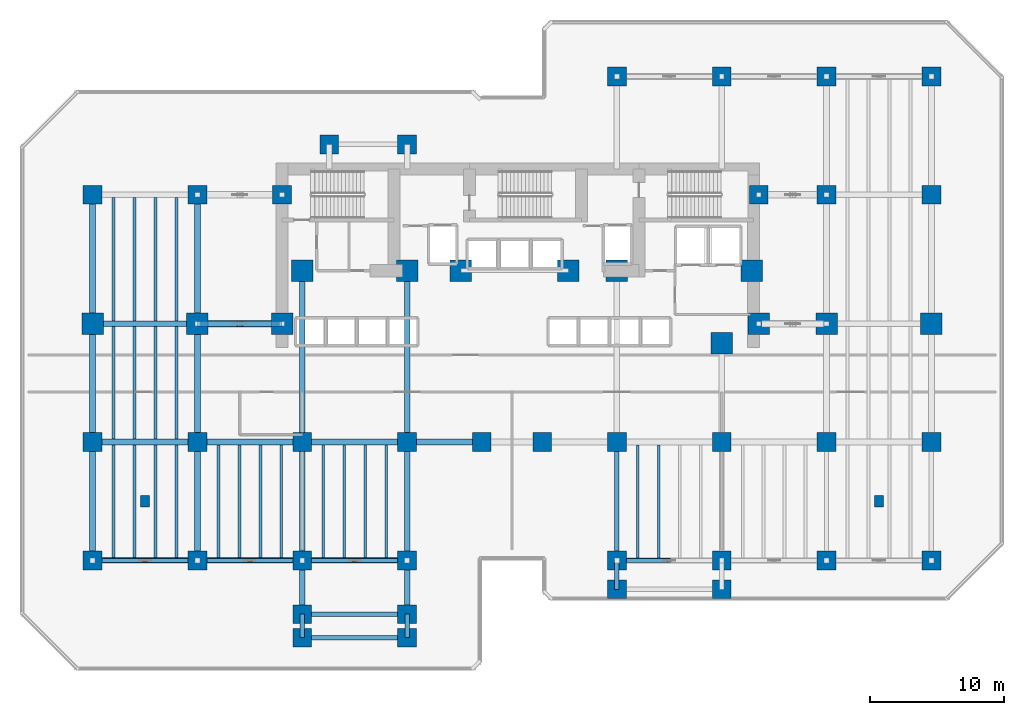
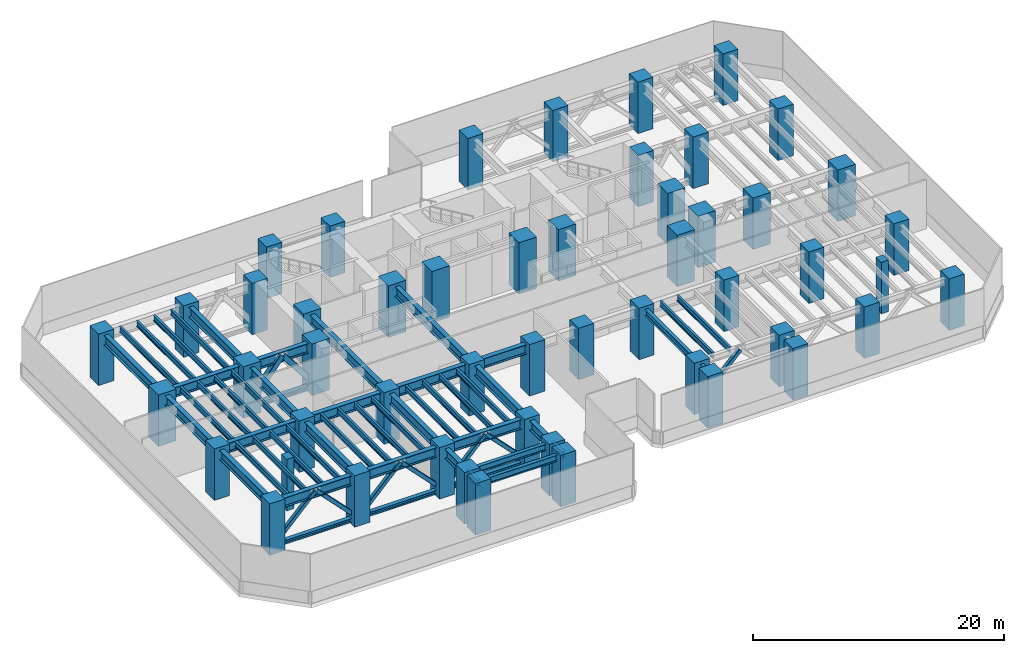
# One storey, part 1 of 13: 51 columns, 49 beams, 13 members.
"""IFC4 building model written with IfcOpenShell, lengths in metres."""

from ifc_helpers import new_model, si_unit, direction, frame, origin, origin_2d, place, context, subcontext, project, spatial, rectangle, hollow_rectangle, i_section, extrude, material, material_profile, profile_set, type_object, element, save


model = new_model("IFC4")

# Units and contexts
model_context = context("Model", 3, precision=1e-05, world=origin(), true_north=direction((0.0, 1.0)))
body_context = subcontext(model_context, "Body", "Model", "MODEL_VIEW")
ifc_project = project(units=[si_unit("LENGTHUNIT", "METRE"), si_unit("AREAUNIT", "SQUARE_METRE"), si_unit("VOLUMEUNIT", "CUBIC_METRE"), si_unit("PLANEANGLEUNIT", "RADIAN"), si_unit("MASSUNIT", "GRAM", prefix="KILO")], contexts=[model_context])

# Site, building, storey
site_placement = place(None, origin())
site = spatial("IfcSite", under=ifc_project, at=site_placement, CompositionType="ELEMENT")
building_placement = place(site_placement, origin())
building = spatial("IfcBuilding", under=site, at=building_placement, Name="Kestravale Grand Hotel", CompositionType="ELEMENT")
storey_placement = place(building_placement, frame((0.0, 0.0, 75.39990234375)))
storey = spatial("IfcBuildingStorey", under=building, at=storey_placement, Name="L18", CompositionType="ELEMENT", Elevation=75.39990234375)

# Columns
ifc_material_1 = material(Name="Concrete f'c 70 MPa", Category="concrete")
ifc_material_profile_1 = material_profile(ifc_material_1, rectangle(XDim=1.39990234375, YDim=1.39990234375, at=origin_2d()))
ifc_profile_set_1 = profile_set([ifc_material_profile_1], Name="Concrete f'c 70 MPa")
column_type_1 = type_object("IfcColumnType", Name="C-Z1-1400", PredefinedType="COLUMN", material=ifc_profile_set_1)
for number, where, z_axis, x_axis, name in (
    (1, (7.800048828125, 11.199951171875, 0.0), (0.0, 0.0, 1.0), (1.0, 0.0, 0.0), "L18 column 2-C"),
    (2, (7.800048828125, 20.0, 0.0), (0.0, 0.0, 1.0), (1.0, 0.0, 0.0), "L18 column 2-D"),
    (3, (7.800048828125, 38.39990234375, 0.0), (0.0, 0.0, 1.0), (1.0, 0.0, 0.0), "L18 column 2-F"),
    (4, (15.60009765625, 11.199951171875, 0.0), (0.0, 0.0, 1.0), (1.0, 0.0, 0.0), "L18 column 3-C"),
    (5, (15.60009765625, 20.0, 0.0), (0.0, 0.0, 1.0), (1.0, 0.0, 0.0), "L18 column 3-D"),
    (6, (15.60009765625, 38.39990234375, 0.0), (0.0, 0.0, 1.0), (1.0, 0.0, 0.0), "L18 column 3-F"),
    (7, (23.39990234375, 11.199951171875, 0.0), (0.0, 0.0, 1.0), (1.0, 0.0, 0.0), "L18 column 4-C"),
    (8, (23.39990234375, 20.0, 0.0), (0.0, 0.0, 1.0), (1.0, 0.0, 0.0), "L18 column 4-D"),
    (9, (31.199951171875, 11.199951171875, 0.0), (0.0, 0.0, 1.0), (1.0, 0.0, 0.0), "L18 column 5-C"),
    (10, (31.199951171875, 20.0, 0.0), (0.0, 0.0, 1.0), (1.0, 0.0, 0.0), "L18 column 5-D"),
    (11, (36.75, 20.0, 0.0), (0.0, 0.0, 1.0), (1.0, 0.0, 0.0), "L18 column 6-D"),
    (12, (41.25, 20.0, 0.0), (0.0, 0.0, 1.0), (1.0, 0.0, 0.0), "L18 column 7-D"),
    (13, (46.800048828125, 11.199951171875, 0.0), (0.0, 0.0, 1.0), (1.0, 0.0, 0.0), "L18 column 8-C"),
    (14, (46.800048828125, 20.0, 0.0), (0.0, 0.0, 1.0), (1.0, 0.0, 0.0), "L18 column 8-D"),
    (15, (46.800048828125, 47.199951171875, 0.0), (0.0, 0.0, 1.0), (1.0, 0.0, 0.0), "L18 column 8-G"),
    (16, (54.60009765625, 11.199951171875, 0.0), (0.0, 0.0, 1.0), (1.0, 0.0, 0.0), "L18 column 9-C"),
    (17, (54.60009765625, 20.0, 0.0), (0.0, 0.0, 1.0), (1.0, 0.0, 0.0), "L18 column 9-D"),
    (18, (54.60009765625, 47.199951171875, 0.0), (0.0, 0.0, 1.0), (1.0, 0.0, 0.0), "L18 column 9-G"),
    (19, (62.39990234375, 11.199951171875, 0.0), (0.0, 0.0, 1.0), (1.0, 0.0, 0.0), "L18 column 10-C"),
    (20, (62.39990234375, 20.0, 0.0), (0.0, 0.0, 1.0), (1.0, 0.0, 0.0), "L18 column 10-D"),
    (21, (62.39990234375, 38.39990234375, 0.0), (0.0, 0.0, 1.0), (1.0, 0.0, 0.0), "L18 column 10-F"),
    (22, (62.39990234375, 47.199951171875, 0.0), (0.0, 0.0, 1.0), (1.0, 0.0, 0.0), "L18 column 10-G"),
    (23, (70.199951171875, 11.199951171875, 0.0), (0.0, 0.0, 1.0), (1.0, 0.0, 0.0), "L18 column 11-C"),
    (24, (70.199951171875, 20.0, 0.0), (0.0, 0.0, 1.0), (1.0, 0.0, 0.0), "L18 column 11-D"),
    (25, (70.199951171875, 38.39990234375, 0.0), (0.0, 0.0, 1.0), (1.0, 0.0, 0.0), "L18 column 11-F"),
    (26, (70.199951171875, 47.199951171875, 0.0), (0.0, 0.0, 1.0), (1.0, 0.0, 0.0), "L18 column 11-G"),
    (27, (21.89990234375, 38.39990234375, 0.0), (0.0, 0.0, 1.0), (1.0, 0.0, 0.0), "L18 column CW-F"),
    (28, (57.35009765625, 38.39990234375, 0.0), (0.0, 0.0, 1.0), (1.0, 0.0, 0.0), "L18 column CE-F"),
    (29, (23.39990234375, 7.199951171875, 0.0), (0.0, 0.0, 1.0), (1.0, 0.0, 0.0), "L18 column 4-BS"),
    (30, (31.199951171875, 7.199951171875, 0.0), (0.0, 0.0, 1.0), (1.0, 0.0, 0.0), "L18 column 5-BS"),
    (31, (25.39990234375, 42.14990234375, 0.0), (0.0, 0.0, 1.0), (1.0, 0.0, 0.0), "L18 column 4-FN"),
    (32, (31.199951171875, 42.14990234375, 0.0), (0.0, 0.0, 1.0), (1.0, 0.0, 0.0), "L18 column 5-FN"),
    (33, (23.39990234375, 5.449951171875, 0.0), (0.0, 0.0, 1.0), (1.0, 0.0, 0.0), "L18 column 4-B1S"),
    (34, (31.199951171875, 5.449951171875, 0.0), (0.0, 0.0, 1.0), (1.0, 0.0, 0.0), "L18 column 5-B1S"),
    (35, (46.800048828125, 9.050048828125, 0.0), (0.0, 0.0, 1.0), (1.0, 0.0, 0.0), "L18 column 8-B1E"),
    (36, (54.60009765625, 9.050048828125, 0.0), (0.0, 0.0, 1.0), (1.0, 0.0, 0.0), "L18 column 9-B1E"),
):
    element("IfcColumn", number, at=place(storey_placement, frame(where, z_axis=z_axis, x_axis=x_axis)), inside=storey, type_object=column_type_1, Name=name, PredefinedType="COLUMN", context=body_context, shape_type="SweptSolid", body=[
        extrude(rectangle(XDim=1.39990234375, YDim=1.39990234375, at=origin_2d()), origin(), (0.0, 0.0, 1.0), 5.0),
    ])
ifc_material_2 = material(Name="Concrete f'c 70 MPa", Category="concrete")
ifc_material_profile_2 = material_profile(ifc_material_2, rectangle(XDim=1.60009765625, YDim=1.60009765625, at=origin_2d()))
ifc_profile_set_2 = profile_set([ifc_material_profile_2], Name="Concrete f'c 70 MPa")
column_type_2 = type_object("IfcColumnType", Name="C-Z1-1600", PredefinedType="COLUMN", material=ifc_profile_set_2)
for number, where, z_axis, x_axis, name in (
    (37, (7.800048828125, 28.800048828125, 0.0), (0.0, 0.0, 1.0), (1.0, 0.0, 0.0), "L18 column 2-E"),
    (38, (15.60009765625, 28.800048828125, 0.0), (0.0, 0.0, 1.0), (1.0, 0.0, 0.0), "L18 column 3-E"),
    (39, (62.39990234375, 28.800048828125, 0.0), (0.0, 0.0, 1.0), (1.0, 0.0, 0.0), "L18 column 10-E"),
    (40, (70.199951171875, 28.800048828125, 0.0), (0.0, 0.0, 1.0), (1.0, 0.0, 0.0), "L18 column 11-E"),
    (41, (21.89990234375, 28.800048828125, 0.0), (0.0, 0.0, 1.0), (1.0, 0.0, 0.0), "L18 column CW-E"),
    (42, (57.35009765625, 28.800048828125, 0.0), (0.0, 0.0, 1.0), (1.0, 0.0, 0.0), "L18 column CE-E"),
    (43, (23.39990234375, 32.75, 0.0), (0.0, 0.0, 1.0), (1.0, 0.0, 0.0), "L18 column 4-CS"),
    (44, (31.199951171875, 32.75, 0.0), (0.0, 0.0, 1.0), (1.0, 0.0, 0.0), "L18 column 5-CS"),
    (45, (35.199951171875, 32.75, 0.0), (0.0, 0.0, 1.0), (1.0, 0.0, 0.0), "L18 column 6C-CS"),
    (46, (43.199951171875, 32.75, 0.0), (0.0, 0.0, 1.0), (1.0, 0.0, 0.0), "L18 column 7C-CS"),
    (47, (46.800048828125, 32.75, 0.0), (0.0, 0.0, 1.0), (1.0, 0.0, 0.0), "L18 column 8-CS"),
    (48, (54.60009765625, 27.35009765625, 0.0), (0.0, 0.0, 1.0), (1.0, 0.0, 0.0), "L18 column 9-CS"),
    (49, (56.85009765625, 32.75, 0.0), (0.0, 0.0, 1.0), (1.0, 0.0, 0.0), "L18 column 9C-CS"),
):
    element("IfcColumn", number, at=place(storey_placement, frame(where, z_axis=z_axis, x_axis=x_axis)), inside=storey, type_object=column_type_2, Name=name, PredefinedType="COLUMN", context=body_context, shape_type="SweptSolid", body=[
        extrude(rectangle(XDim=1.60009765625, YDim=1.60009765625, at=origin_2d()), origin(), (0.0, 0.0, 1.0), 5.0),
    ])
ifc_material_3 = material(Name="Precast concrete f'c 45 MPa", Category="concrete")
ifc_material_profile_3 = material_profile(ifc_material_3, rectangle(XDim=0.64990234375, YDim=0.85009765625, at=origin_2d()))
ifc_profile_set_3 = profile_set([ifc_material_profile_3], Name="Precast concrete f'c 45 MPa")
column_type_3 = type_object("IfcColumnType", Name="C-Z1-PIL850", PredefinedType="PILASTER", material=ifc_profile_set_3)
for number, where, z_axis, x_axis, name in (
    (50, (11.699951171875, 15.60009765625, 0.0), (0.0, 0.0, 1.0), (1.0, 0.0, 0.0), "L18 Art Deco fluted pilaster P1"),
    (51, (66.300048828125, 15.60009765625, 0.0), (0.0, 0.0, 1.0), (1.0, 0.0, 0.0), "L18 Art Deco fluted pilaster P2"),
):
    element("IfcColumn", number, at=place(storey_placement, frame(where, z_axis=z_axis, x_axis=x_axis)), inside=storey, type_object=column_type_3, Name=name, PredefinedType="PILASTER", context=body_context, shape_type="SweptSolid", body=[
        extrude(rectangle(XDim=0.64990234375, YDim=0.85009765625, at=origin_2d()), origin(), (0.0, 0.0, 1.0), 5.0),
    ])

# Beams
ifc_material_4 = material(Name="Steel ASTM A992 Grade 50", Category="steel")
ifc_material_profile_4 = material_profile(ifc_material_4, i_section(OverallWidth=0.2099609375, OverallDepth=0.535888671875, WebThickness=0.010986328125, FlangeThickness=0.017333984375, FilletRadius=0.017578125, at=origin_2d()))
ifc_profile_set_4 = profile_set([ifc_material_profile_4], Name="Steel ASTM A992 Grade 50")
beam_type_1 = type_object("IfcBeamType", Name="B-FLR-JST21", PredefinedType="JOIST", material=ifc_profile_set_4)
for number, where, z_axis, x_axis, name in (
    (52, (9.360107421875, 11.412109375, 4.442138671875), (0.0, 1.0, 0.0), (-1.0, 0.0, 0.0), "L18 floor joist 2-3/C-D #1"),
    (53, (10.919921875, 11.412109375, 4.442138671875), (0.0, 1.0, 0.0), (-1.0, 0.0, 0.0), "L18 floor joist 2-3/C-D #2"),
    (54, (12.47998046875, 11.412109375, 4.442138671875), (0.0, 1.0, 0.0), (-1.0, 0.0, 0.0), "L18 floor joist 2-3/C-D #3"),
    (55, (14.0400390625, 11.412109375, 4.442138671875), (0.0, 1.0, 0.0), (-1.0, 0.0, 0.0), "L18 floor joist 2-3/C-D #4"),
    (56, (9.360107421875, 20.2119140625, 4.442138671875), (0.0, 1.0, 0.0), (-1.0, 0.0, 0.0), "L18 floor joist 2-3/D-E #1"),
    (57, (10.919921875, 20.2119140625, 4.442138671875), (0.0, 1.0, 0.0), (-1.0, 0.0, 0.0), "L18 floor joist 2-3/D-E #2"),
    (58, (12.47998046875, 20.2119140625, 4.442138671875), (0.0, 1.0, 0.0), (-1.0, 0.0, 0.0), "L18 floor joist 2-3/D-E #3"),
    (59, (14.0400390625, 20.2119140625, 4.442138671875), (0.0, 1.0, 0.0), (-1.0, 0.0, 0.0), "L18 floor joist 2-3/D-E #4"),
):
    element("IfcBeam", number, at=place(storey_placement, frame(where, z_axis=z_axis, x_axis=x_axis)), inside=storey, type_object=beam_type_1, Name=name, PredefinedType="JOIST", context=body_context, shape_type="SweptSolid", body=[
        extrude(i_section(OverallWidth=0.2099609375, OverallDepth=0.535888671875, WebThickness=0.010986328125, FlangeThickness=0.017333984375, FilletRadius=0.017578125, at=origin_2d()), origin(), (0.0, 0.0, 1.0), 8.3759765625),
    ])
for number, where, z_axis, x_axis, name in (
    (60, (9.360107421875, 29.011962890625, 4.442138671875), (0.0, 1.0, 0.0), (-1.0, 0.0, 0.0), "L18 floor joist 2-3/E-F #1"),
    (61, (10.919921875, 29.011962890625, 4.442138671875), (0.0, 1.0, 0.0), (-1.0, 0.0, 0.0), "L18 floor joist 2-3/E-F #2"),
    (62, (12.47998046875, 29.011962890625, 4.442138671875), (0.0, 1.0, 0.0), (-1.0, 0.0, 0.0), "L18 floor joist 2-3/E-F #3"),
    (63, (14.0400390625, 29.011962890625, 4.442138671875), (0.0, 1.0, 0.0), (-1.0, 0.0, 0.0), "L18 floor joist 2-3/E-F #4"),
):
    element("IfcBeam", number, at=place(storey_placement, frame(where, z_axis=z_axis, x_axis=x_axis)), inside=storey, type_object=beam_type_1, Name=name, PredefinedType="JOIST", context=body_context, shape_type="SweptSolid", body=[
        extrude(i_section(OverallWidth=0.2099609375, OverallDepth=0.535888671875, WebThickness=0.010986328125, FlangeThickness=0.017333984375, FilletRadius=0.017578125, at=origin_2d()), origin(), (0.0, 0.0, 1.0), 9.176025390625),
    ])
for number, where, z_axis, x_axis, name in (
    (64, (17.159912109375, 11.412109375, 4.442138671875), (0.0, 1.0, 0.0), (-1.0, 0.0, 0.0), "L18 floor joist 3-4/C-D #1"),
    (65, (18.719970703125, 11.412109375, 4.442138671875), (0.0, 1.0, 0.0), (-1.0, 0.0, 0.0), "L18 floor joist 3-4/C-D #2"),
    (66, (20.280029296875, 11.412109375, 4.442138671875), (0.0, 1.0, 0.0), (-1.0, 0.0, 0.0), "L18 floor joist 3-4/C-D #3"),
    (67, (21.840087890625, 11.412109375, 4.442138671875), (0.0, 1.0, 0.0), (-1.0, 0.0, 0.0), "L18 floor joist 3-4/C-D #4"),
    (68, (24.9599609375, 11.412109375, 4.442138671875), (0.0, 1.0, 0.0), (-1.0, 0.0, 0.0), "L18 floor joist 4-5/C-D #1"),
    (69, (26.52001953125, 11.412109375, 4.442138671875), (0.0, 1.0, 0.0), (-1.0, 0.0, 0.0), "L18 floor joist 4-5/C-D #2"),
    (70, (28.080078125, 11.412109375, 4.442138671875), (0.0, 1.0, 0.0), (-1.0, 0.0, 0.0), "L18 floor joist 4-5/C-D #3"),
    (71, (29.639892578125, 11.412109375, 4.442138671875), (0.0, 1.0, 0.0), (-1.0, 0.0, 0.0), "L18 floor joist 4-5/C-D #4"),
):
    element("IfcBeam", number, at=place(storey_placement, frame(where, z_axis=z_axis, x_axis=x_axis)), inside=storey, type_object=beam_type_1, Name=name, PredefinedType="JOIST", context=body_context, shape_type="SweptSolid", body=[
        extrude(i_section(OverallWidth=0.2099609375, OverallDepth=0.535888671875, WebThickness=0.010986328125, FlangeThickness=0.017333984375, FilletRadius=0.017578125, at=origin_2d()), origin(), (0.0, 0.0, 1.0), 8.3759765625),
    ])
for number, where, z_axis, x_axis, name in (
    (72, (48.360107421875, 11.362548828125, 4.442138671875), (0.0, 1.0, 0.0), (-1.0, 0.0, 0.0), "L18 floor joist 8-9/C-D #1"),
    (73, (49.919921875, 11.362548828125, 4.442138671875), (0.0, 1.0, 0.0), (-1.0, 0.0, 0.0), "L18 floor joist 8-9/C-D #2"),
):
    element("IfcBeam", number, at=place(storey_placement, frame(where, z_axis=z_axis, x_axis=x_axis)), inside=storey, type_object=beam_type_1, Name=name, PredefinedType="JOIST", context=body_context, shape_type="SweptSolid", body=[
        extrude(i_section(OverallWidth=0.2099609375, OverallDepth=0.535888671875, WebThickness=0.010986328125, FlangeThickness=0.017333984375, FilletRadius=0.017578125, at=origin_2d()), origin(), (0.0, 0.0, 1.0), 8.425537109375),
    ])
ifc_material_5 = material(Name="Steel ASTM A992 Grade 50", Category="steel")
ifc_material_profile_5 = material_profile(ifc_material_5, i_section(OverallWidth=0.324951171875, OverallDepth=0.612060546875, WebThickness=0.0126953125, FlangeThickness=0.01904296875, FilletRadius=0.018798828125, at=origin_2d()))
ifc_profile_set_5 = profile_set([ifc_material_profile_5], Name="Steel ASTM A992 Grade 50")
beam_type_2 = type_object("IfcBeamType", Name="B-FLR-W24A", PredefinedType="SPANDREL", material=ifc_profile_set_5)
for number, where, z_axis, x_axis, name in (
    (74, (23.39990234375, 5.449951171875, 4.404052734375), (1.0, 0.0, 0.0), (0.0, 1.0, 0.0), "L18 perimeter tie spandrel B1S:4-5"),
    (75, (23.39990234375, 7.199951171875, 4.404052734375), (1.0, 0.0, 0.0), (0.0, 1.0, 0.0), "L18 perimeter tie spandrel BS:4-5"),
):
    element("IfcBeam", number, at=place(storey_placement, frame(where, z_axis=z_axis, x_axis=x_axis)), inside=storey, type_object=beam_type_2, Name=name, PredefinedType="SPANDREL", context=body_context, shape_type="SweptSolid", body=[
        extrude(i_section(OverallWidth=0.324951171875, OverallDepth=0.612060546875, WebThickness=0.0126953125, FlangeThickness=0.01904296875, FilletRadius=0.018798828125, at=origin_2d()), origin(), (0.0, 0.0, 1.0), 7.800048828125),
    ])
for number, where, z_axis, x_axis, name in (
    (76, (23.39990234375, 5.449951171875, 4.404052734375), (0.0, 1.0, 0.0), (-1.0, 0.0, 0.0), "L18 spandrel 4:B1S-BS"),
    (77, (31.199951171875, 5.449951171875, 4.404052734375), (0.0, 1.0, 0.0), (-1.0, 0.0, 0.0), "L18 spandrel 5:B1S-BS"),
):
    element("IfcBeam", number, at=place(storey_placement, frame(where, z_axis=z_axis, x_axis=x_axis)), inside=storey, type_object=beam_type_2, Name=name, PredefinedType="SPANDREL", context=body_context, shape_type="SweptSolid", body=[
        extrude(i_section(OverallWidth=0.324951171875, OverallDepth=0.612060546875, WebThickness=0.0126953125, FlangeThickness=0.01904296875, FilletRadius=0.018798828125, at=origin_2d()), origin(), (0.0, 0.0, 1.0), 1.75),
    ])
beam_1_placement = place(storey_placement, frame((46.800048828125, 9.050048828125, 4.404052734375), z_axis=(0.0, 1.0, 0.0), x_axis=(-1.0, 0.0, 0.0)))
element("IfcBeam", 78, at=beam_1_placement, inside=storey, type_object=beam_type_2, Name="L18 spandrel 8:B1E-C", PredefinedType="SPANDREL", context=body_context, shape_type="SweptSolid", body=[
    extrude(i_section(OverallWidth=0.324951171875, OverallDepth=0.612060546875, WebThickness=0.0126953125, FlangeThickness=0.01904296875, FilletRadius=0.018798828125, at=origin_2d()), origin(), (0.0, 0.0, 1.0), 2.14990234375),
])
beam_2_placement = place(storey_placement, frame((46.800048828125, 11.199951171875, 4.404052734375), z_axis=(0.0, 1.0, 0.0), x_axis=(-1.0, 0.0, 0.0)))
element("IfcBeam", 79, at=beam_2_placement, inside=storey, type_object=beam_type_2, Name="L18 spandrel 8:C-D", PredefinedType="SPANDREL", context=body_context, shape_type="SweptSolid", body=[
    extrude(i_section(OverallWidth=0.324951171875, OverallDepth=0.612060546875, WebThickness=0.0126953125, FlangeThickness=0.01904296875, FilletRadius=0.018798828125, at=origin_2d()), origin(), (0.0, 0.0, 1.0), 8.800048828125),
])
ifc_material_6 = material(Name="Steel ASTM A992 Grade 50", Category="steel")
ifc_material_profile_6 = material_profile(ifc_material_6, i_section(OverallWidth=0.424072265625, OverallDepth=0.947021484375, WebThickness=0.02392578125, FlangeThickness=0.042724609375, FilletRadius=0.0283203125, at=origin_2d()))
ifc_profile_set_6 = profile_set([ifc_material_profile_6], Name="Steel ASTM A992 Grade 50")
beam_type_3 = type_object("IfcBeamType", Name="B-GRD-W36", PredefinedType="BEAM", material=ifc_profile_set_6)
beam_3_placement = place(storey_placement, frame((7.800048828125, 11.199951171875, 4.236572265625), z_axis=(1.0, 0.0, 0.0), x_axis=(0.0, 1.0, 0.0)))
element("IfcBeam", 80, at=beam_3_placement, inside=storey, type_object=beam_type_3, Name="L18 girder C:2-3", PredefinedType="BEAM", context=body_context, shape_type="SweptSolid", body=[
    extrude(i_section(OverallWidth=0.424072265625, OverallDepth=0.947021484375, WebThickness=0.02392578125, FlangeThickness=0.042724609375, FilletRadius=0.0283203125, at=origin_2d()), origin(), (0.0, 0.0, 1.0), 7.800048828125),
])
beam_4_placement = place(storey_placement, frame((15.60009765625, 11.199951171875, 4.236572265625), z_axis=(1.0, 0.0, 0.0), x_axis=(0.0, 1.0, 0.0)))
element("IfcBeam", 81, at=beam_4_placement, inside=storey, type_object=beam_type_3, Name="L18 girder C:3-4", PredefinedType="BEAM", context=body_context, shape_type="SweptSolid", body=[
    extrude(i_section(OverallWidth=0.424072265625, OverallDepth=0.947021484375, WebThickness=0.02392578125, FlangeThickness=0.042724609375, FilletRadius=0.0283203125, at=origin_2d()), origin(), (0.0, 0.0, 1.0), 7.7998046875),
])
for number, where, z_axis, x_axis, name in (
    (82, (23.39990234375, 11.199951171875, 4.236572265625), (1.0, 0.0, 0.0), (0.0, 1.0, 0.0), "L18 girder C:4-5"),
    (83, (7.800048828125, 20.0, 4.236572265625), (1.0, 0.0, 0.0), (0.0, 1.0, 0.0), "L18 girder D:2-3"),
):
    element("IfcBeam", number, at=place(storey_placement, frame(where, z_axis=z_axis, x_axis=x_axis)), inside=storey, type_object=beam_type_3, Name=name, PredefinedType="BEAM", context=body_context, shape_type="SweptSolid", body=[
        extrude(i_section(OverallWidth=0.424072265625, OverallDepth=0.947021484375, WebThickness=0.02392578125, FlangeThickness=0.042724609375, FilletRadius=0.0283203125, at=origin_2d()), origin(), (0.0, 0.0, 1.0), 7.800048828125),
    ])
beam_5_placement = place(storey_placement, frame((15.60009765625, 20.0, 4.236572265625), z_axis=(1.0, 0.0, 0.0), x_axis=(0.0, 1.0, 0.0)))
element("IfcBeam", 84, at=beam_5_placement, inside=storey, type_object=beam_type_3, Name="L18 girder D:3-4", PredefinedType="BEAM", context=body_context, shape_type="SweptSolid", body=[
    extrude(i_section(OverallWidth=0.424072265625, OverallDepth=0.947021484375, WebThickness=0.02392578125, FlangeThickness=0.042724609375, FilletRadius=0.0283203125, at=origin_2d()), origin(), (0.0, 0.0, 1.0), 7.7998046875),
])
beam_6_placement = place(storey_placement, frame((23.39990234375, 20.0, 4.236572265625), z_axis=(1.0, 0.0, 0.0), x_axis=(0.0, 1.0, 0.0)))
element("IfcBeam", 85, at=beam_6_placement, inside=storey, type_object=beam_type_3, Name="L18 girder D:4-5", PredefinedType="BEAM", context=body_context, shape_type="SweptSolid", body=[
    extrude(i_section(OverallWidth=0.424072265625, OverallDepth=0.947021484375, WebThickness=0.02392578125, FlangeThickness=0.042724609375, FilletRadius=0.0283203125, at=origin_2d()), origin(), (0.0, 0.0, 1.0), 7.800048828125),
])
beam_7_placement = place(storey_placement, frame((31.199951171875, 20.0, 4.236572265625), z_axis=(1.0, 0.0, 0.0), x_axis=(0.0, 1.0, 0.0)))
element("IfcBeam", 86, at=beam_7_placement, inside=storey, type_object=beam_type_3, Name="L18 girder D:5-6", PredefinedType="BEAM", context=body_context, shape_type="SweptSolid", body=[
    extrude(i_section(OverallWidth=0.424072265625, OverallDepth=0.947021484375, WebThickness=0.02392578125, FlangeThickness=0.042724609375, FilletRadius=0.0283203125, at=origin_2d()), origin(), (0.0, 0.0, 1.0), 5.550048828125),
])
beam_8_placement = place(storey_placement, frame((7.800048828125, 28.800048828125, 4.236572265625), z_axis=(1.0, 0.0, 0.0), x_axis=(0.0, 1.0, 0.0)))
element("IfcBeam", 87, at=beam_8_placement, inside=storey, type_object=beam_type_3, Name="L18 girder E:2-3", PredefinedType="BEAM", context=body_context, shape_type="SweptSolid", body=[
    extrude(i_section(OverallWidth=0.424072265625, OverallDepth=0.947021484375, WebThickness=0.02392578125, FlangeThickness=0.042724609375, FilletRadius=0.0283203125, at=origin_2d()), origin(), (0.0, 0.0, 1.0), 7.800048828125),
])
beam_9_placement = place(storey_placement, frame((15.60009765625, 28.800048828125, 4.236572265625), z_axis=(1.0, 0.0, 0.0), x_axis=(0.0, 1.0, 0.0)))
element("IfcBeam", 88, at=beam_9_placement, inside=storey, type_object=beam_type_3, Name="L18 girder E:3-CW", PredefinedType="BEAM", context=body_context, shape_type="SweptSolid", body=[
    extrude(i_section(OverallWidth=0.424072265625, OverallDepth=0.947021484375, WebThickness=0.02392578125, FlangeThickness=0.042724609375, FilletRadius=0.0283203125, at=origin_2d()), origin(), (0.0, 0.0, 1.0), 6.2998046875),
])
for number, where, z_axis, x_axis, name in (
    (89, (7.800048828125, 11.199951171875, 4.236572265625), (0.0, 1.0, 0.0), (-1.0, 0.0, 0.0), "L18 girder 2:C-D"),
    (90, (7.800048828125, 20.0, 4.236572265625), (0.0, 1.0, 0.0), (-1.0, 0.0, 0.0), "L18 girder 2:D-E"),
):
    element("IfcBeam", number, at=place(storey_placement, frame(where, z_axis=z_axis, x_axis=x_axis)), inside=storey, type_object=beam_type_3, Name=name, PredefinedType="BEAM", context=body_context, shape_type="SweptSolid", body=[
        extrude(i_section(OverallWidth=0.424072265625, OverallDepth=0.947021484375, WebThickness=0.02392578125, FlangeThickness=0.042724609375, FilletRadius=0.0283203125, at=origin_2d()), origin(), (0.0, 0.0, 1.0), 8.800048828125),
    ])
beam_10_placement = place(storey_placement, frame((7.800048828125, 28.800048828125, 4.236572265625), z_axis=(0.0, 1.0, 0.0), x_axis=(-1.0, 0.0, 0.0)))
element("IfcBeam", 91, at=beam_10_placement, inside=storey, type_object=beam_type_3, Name="L18 girder 2:E-F", PredefinedType="BEAM", context=body_context, shape_type="SweptSolid", body=[
    extrude(i_section(OverallWidth=0.424072265625, OverallDepth=0.947021484375, WebThickness=0.02392578125, FlangeThickness=0.042724609375, FilletRadius=0.0283203125, at=origin_2d()), origin(), (0.0, 0.0, 1.0), 9.599853515625),
])
for number, where, z_axis, x_axis, name in (
    (92, (15.60009765625, 11.199951171875, 4.236572265625), (0.0, 1.0, 0.0), (-1.0, 0.0, 0.0), "L18 girder 3:C-D"),
    (93, (15.60009765625, 20.0, 4.236572265625), (0.0, 1.0, 0.0), (-1.0, 0.0, 0.0), "L18 girder 3:D-E"),
):
    element("IfcBeam", number, at=place(storey_placement, frame(where, z_axis=z_axis, x_axis=x_axis)), inside=storey, type_object=beam_type_3, Name=name, PredefinedType="BEAM", context=body_context, shape_type="SweptSolid", body=[
        extrude(i_section(OverallWidth=0.424072265625, OverallDepth=0.947021484375, WebThickness=0.02392578125, FlangeThickness=0.042724609375, FilletRadius=0.0283203125, at=origin_2d()), origin(), (0.0, 0.0, 1.0), 8.800048828125),
    ])
beam_11_placement = place(storey_placement, frame((15.60009765625, 28.800048828125, 4.236572265625), z_axis=(0.0, 1.0, 0.0), x_axis=(-1.0, 0.0, 0.0)))
element("IfcBeam", 94, at=beam_11_placement, inside=storey, type_object=beam_type_3, Name="L18 girder 3:E-F", PredefinedType="BEAM", context=body_context, shape_type="SweptSolid", body=[
    extrude(i_section(OverallWidth=0.424072265625, OverallDepth=0.947021484375, WebThickness=0.02392578125, FlangeThickness=0.042724609375, FilletRadius=0.0283203125, at=origin_2d()), origin(), (0.0, 0.0, 1.0), 9.599853515625),
])
beam_12_placement = place(storey_placement, frame((23.39990234375, 7.199951171875, 4.236572265625), z_axis=(0.0, 1.0, 0.0), x_axis=(-1.0, 0.0, 0.0)))
element("IfcBeam", 95, at=beam_12_placement, inside=storey, type_object=beam_type_3, Name="L18 girder 4:BS-C", PredefinedType="BEAM", context=body_context, shape_type="SweptSolid", body=[
    extrude(i_section(OverallWidth=0.424072265625, OverallDepth=0.947021484375, WebThickness=0.02392578125, FlangeThickness=0.042724609375, FilletRadius=0.0283203125, at=origin_2d()), origin(), (0.0, 0.0, 1.0), 4.0),
])
beam_13_placement = place(storey_placement, frame((23.39990234375, 11.199951171875, 4.236572265625), z_axis=(0.0, 1.0, 0.0), x_axis=(-1.0, 0.0, 0.0)))
element("IfcBeam", 96, at=beam_13_placement, inside=storey, type_object=beam_type_3, Name="L18 girder 4:C-D", PredefinedType="BEAM", context=body_context, shape_type="SweptSolid", body=[
    extrude(i_section(OverallWidth=0.424072265625, OverallDepth=0.947021484375, WebThickness=0.02392578125, FlangeThickness=0.042724609375, FilletRadius=0.0283203125, at=origin_2d()), origin(), (0.0, 0.0, 1.0), 8.800048828125),
])
beam_14_placement = place(storey_placement, frame((23.39990234375, 20.0, 4.236572265625), z_axis=(0.0, 1.0, 0.0), x_axis=(-1.0, 0.0, 0.0)))
element("IfcBeam", 97, at=beam_14_placement, inside=storey, type_object=beam_type_3, Name="L18 girder 4:D-CS", PredefinedType="BEAM", context=body_context, shape_type="SweptSolid", body=[
    extrude(i_section(OverallWidth=0.424072265625, OverallDepth=0.947021484375, WebThickness=0.02392578125, FlangeThickness=0.042724609375, FilletRadius=0.0283203125, at=origin_2d()), origin(), (0.0, 0.0, 1.0), 12.75),
])
beam_15_placement = place(storey_placement, frame((31.199951171875, 7.199951171875, 4.236572265625), z_axis=(0.0, 1.0, 0.0), x_axis=(-1.0, 0.0, 0.0)))
element("IfcBeam", 98, at=beam_15_placement, inside=storey, type_object=beam_type_3, Name="L18 girder 5:BS-C", PredefinedType="BEAM", context=body_context, shape_type="SweptSolid", body=[
    extrude(i_section(OverallWidth=0.424072265625, OverallDepth=0.947021484375, WebThickness=0.02392578125, FlangeThickness=0.042724609375, FilletRadius=0.0283203125, at=origin_2d()), origin(), (0.0, 0.0, 1.0), 4.0),
])
beam_16_placement = place(storey_placement, frame((31.199951171875, 11.199951171875, 4.236572265625), z_axis=(0.0, 1.0, 0.0), x_axis=(-1.0, 0.0, 0.0)))
element("IfcBeam", 99, at=beam_16_placement, inside=storey, type_object=beam_type_3, Name="L18 girder 5:C-D", PredefinedType="BEAM", context=body_context, shape_type="SweptSolid", body=[
    extrude(i_section(OverallWidth=0.424072265625, OverallDepth=0.947021484375, WebThickness=0.02392578125, FlangeThickness=0.042724609375, FilletRadius=0.0283203125, at=origin_2d()), origin(), (0.0, 0.0, 1.0), 8.800048828125),
])
beam_17_placement = place(storey_placement, frame((31.199951171875, 20.0, 4.236572265625), z_axis=(0.0, 1.0, 0.0), x_axis=(-1.0, 0.0, 0.0)))
element("IfcBeam", 100, at=beam_17_placement, inside=storey, type_object=beam_type_3, Name="L18 girder 5:D-CS", PredefinedType="BEAM", context=body_context, shape_type="SweptSolid", body=[
    extrude(i_section(OverallWidth=0.424072265625, OverallDepth=0.947021484375, WebThickness=0.02392578125, FlangeThickness=0.042724609375, FilletRadius=0.0283203125, at=origin_2d()), origin(), (0.0, 0.0, 1.0), 12.75),
])

# Members
ifc_material_7 = material(Name="Steel ASTM A992 Grade 50", Category="steel")
ifc_material_profile_7 = material_profile(ifc_material_7, i_section(OverallWidth=0.373046875, OverallDepth=0.373046875, WebThickness=0.016357421875, FlangeThickness=0.026123046875, FilletRadius=0.016845703125, at=origin_2d()))
ifc_profile_set_7 = profile_set([ifc_material_profile_7], Name="Steel ASTM A992 Grade 50")
member_type_1 = type_object("IfcMemberType", Name="M-BLT-CHD132", PredefinedType="CHORD", material=ifc_profile_set_7)
member_1_placement = place(storey_placement, frame((7.800048828125, 11.199951171875, 0.35009765625), z_axis=(1.0, 0.0, 0.0), x_axis=(0.0, 1.0, 0.0)))
element("IfcMember", 101, at=member_1_placement, inside=storey, type_object=member_type_1, Name="L18 belt truss bottom chord C:2-3", PredefinedType="CHORD", context=body_context, shape_type="SweptSolid", body=[
    extrude(i_section(OverallWidth=0.373046875, OverallDepth=0.373046875, WebThickness=0.016357421875, FlangeThickness=0.026123046875, FilletRadius=0.016845703125, at=origin_2d()), origin(), (0.0, 0.0, 1.0), 7.800048828125),
])
member_2_placement = place(storey_placement, frame((15.60009765625, 11.199951171875, 0.35009765625), z_axis=(1.0, 0.0, 0.0), x_axis=(0.0, 1.0, 0.0)))
element("IfcMember", 102, at=member_2_placement, inside=storey, type_object=member_type_1, Name="L18 belt truss bottom chord C:3-4", PredefinedType="CHORD", context=body_context, shape_type="SweptSolid", body=[
    extrude(i_section(OverallWidth=0.373046875, OverallDepth=0.373046875, WebThickness=0.016357421875, FlangeThickness=0.026123046875, FilletRadius=0.016845703125, at=origin_2d()), origin(), (0.0, 0.0, 1.0), 7.7998046875),
])
member_3_placement = place(storey_placement, frame((23.39990234375, 11.199951171875, 0.35009765625), z_axis=(1.0, 0.0, 0.0), x_axis=(0.0, 1.0, 0.0)))
element("IfcMember", 103, at=member_3_placement, inside=storey, type_object=member_type_1, Name="L18 belt truss bottom chord C:4-5", PredefinedType="CHORD", context=body_context, shape_type="SweptSolid", body=[
    extrude(i_section(OverallWidth=0.373046875, OverallDepth=0.373046875, WebThickness=0.016357421875, FlangeThickness=0.026123046875, FilletRadius=0.016845703125, at=origin_2d()), origin(), (0.0, 0.0, 1.0), 7.800048828125),
])
ifc_material_8 = material(Name="Steel ASTM A500 Grade C", Category="steel")
ifc_material_profile_8 = material_profile(ifc_material_8, hollow_rectangle(XDim=0.35009765625, YDim=0.35009765625, WallThickness=0.01611328125, InnerFilletRadius=0.01611328125, OuterFilletRadius=0.031982421875, at=origin_2d()))
ifc_profile_set_8 = profile_set([ifc_material_profile_8], Name="Steel ASTM A500 Grade C")
member_type_2 = type_object("IfcMemberType", Name="M-BLT-HSS350", PredefinedType="BRACE", material=ifc_profile_set_8)
for number, where, z_axis, x_axis, name in (
    (104, (7.800048828125, 11.199951171875, 0.35009765625), (0.694897607575, 0.0, 0.719108694835), (0.0, 1.0, 0.0), "L18 belt truss diagonal C:2-3 L"),
    (105, (15.60009765625, 11.199951171875, 0.35009765625), (-0.694897607575, 0.0, 0.719108694835), (0.0, -1.0, 0.0), "L18 belt truss diagonal C:2-3 R"),
    (106, (15.60009765625, 11.199951171875, 0.35009765625), (0.694897607575, 0.0, 0.719108694835), (0.0, 1.0, 0.0), "L18 belt truss diagonal C:3-4 L"),
    (107, (23.39990234375, 11.199951171875, 0.35009765625), (-0.694897607575, 0.0, 0.719108694835), (0.0, -1.0, 0.0), "L18 belt truss diagonal C:3-4 R"),
    (108, (23.39990234375, 11.199951171875, 0.35009765625), (0.694897607575, 0.0, 0.719108694835), (0.0, 1.0, 0.0), "L18 belt truss diagonal C:4-5 L"),
    (109, (31.199951171875, 11.199951171875, 0.35009765625), (-0.694897607575, 0.0, 0.719108694835), (0.0, -1.0, 0.0), "L18 belt truss diagonal C:4-5 R"),
    (110, (46.800048828125, 11.199951171875, 0.35009765625), (0.694897607575, 0.0, 0.719108694835), (0.0, 1.0, 0.0), "L18 belt truss diagonal C:8-9 L"),
):
    element("IfcMember", number, at=place(storey_placement, frame(where, z_axis=z_axis, x_axis=x_axis)), inside=storey, type_object=member_type_2, Name=name, PredefinedType="BRACE", context=body_context, shape_type="SweptSolid", body=[
        extrude(hollow_rectangle(XDim=0.35009765625, YDim=0.35009765625, WallThickness=0.01611328125, InnerFilletRadius=0.01611328125, OuterFilletRadius=0.031982421875, at=origin_2d()), origin(), (0.0, 0.0, 1.0), 5.576416015625),
    ])
ifc_material_9 = material(Name="Steel ASTM A992 Grade 50", Category="steel")
ifc_material_profile_9 = material_profile(ifc_material_9, i_section(OverallWidth=0.410888671875, OverallDepth=0.43408203125, WebThickness=0.035888671875, FlangeThickness=0.057373046875, FilletRadius=0.0166015625, at=origin_2d()))
ifc_profile_set_9 = profile_set([ifc_material_profile_9], Name="Steel ASTM A992 Grade 50")
member_type_3 = type_object("IfcMemberType", Name="M-OUT-CHD311", PredefinedType="CHORD", material=ifc_profile_set_9)
member_4_placement = place(storey_placement, frame((15.60009765625, 28.800048828125, 0.35009765625), z_axis=(1.0, 0.0, 0.0), x_axis=(0.0, 1.0, 0.0)))
element("IfcMember", 111, at=member_4_placement, inside=storey, type_object=member_type_3, Name="L18 west outrigger bottom chord E", PredefinedType="CHORD", context=body_context, shape_type="SweptSolid", body=[
    extrude(i_section(OverallWidth=0.410888671875, OverallDepth=0.43408203125, WebThickness=0.035888671875, FlangeThickness=0.057373046875, FilletRadius=0.0166015625, at=origin_2d()), origin(), (0.0, 0.0, 1.0), 6.2998046875),
])
ifc_material_10 = material(Name="Steel ASTM A500 Grade C", Category="steel")
ifc_material_profile_10 = material_profile(ifc_material_10, hollow_rectangle(XDim=0.5, YDim=0.5, WallThickness=0.02197265625, InnerFilletRadius=0.02197265625, OuterFilletRadius=0.0439453125, at=origin_2d()))
ifc_profile_set_10 = profile_set([ifc_material_profile_10], Name="Steel ASTM A500 Grade C")
member_type_4 = type_object("IfcMemberType", Name="M-OUT-HSS500", PredefinedType="BRACE", material=ifc_profile_set_10)
for number, where, z_axis, x_axis, name in (
    (112, (21.89990234375, 28.800048828125, 0.35009765625), (-0.614688381085, 0.0, 0.78877005151), (0.0, -1.0, 0.0), "L18 west outrigger brace E-1"),
    (113, (15.60009765625, 28.800048828125, 0.35009765625), (0.614688381085, 0.0, 0.78877005151), (0.0, 1.0, 0.0), "L18 west outrigger brace E-2"),
):
    element("IfcMember", number, at=place(storey_placement, frame(where, z_axis=z_axis, x_axis=x_axis)), inside=storey, type_object=member_type_4, Name=name, PredefinedType="BRACE", context=body_context, shape_type="SweptSolid", body=[
        extrude(hollow_rectangle(XDim=0.5, YDim=0.5, WallThickness=0.02197265625, InnerFilletRadius=0.02197265625, OuterFilletRadius=0.0439453125, at=origin_2d()), origin(), (0.0, 0.0, 1.0), 5.083984375),
    ])

save(model, "model.ifc")
